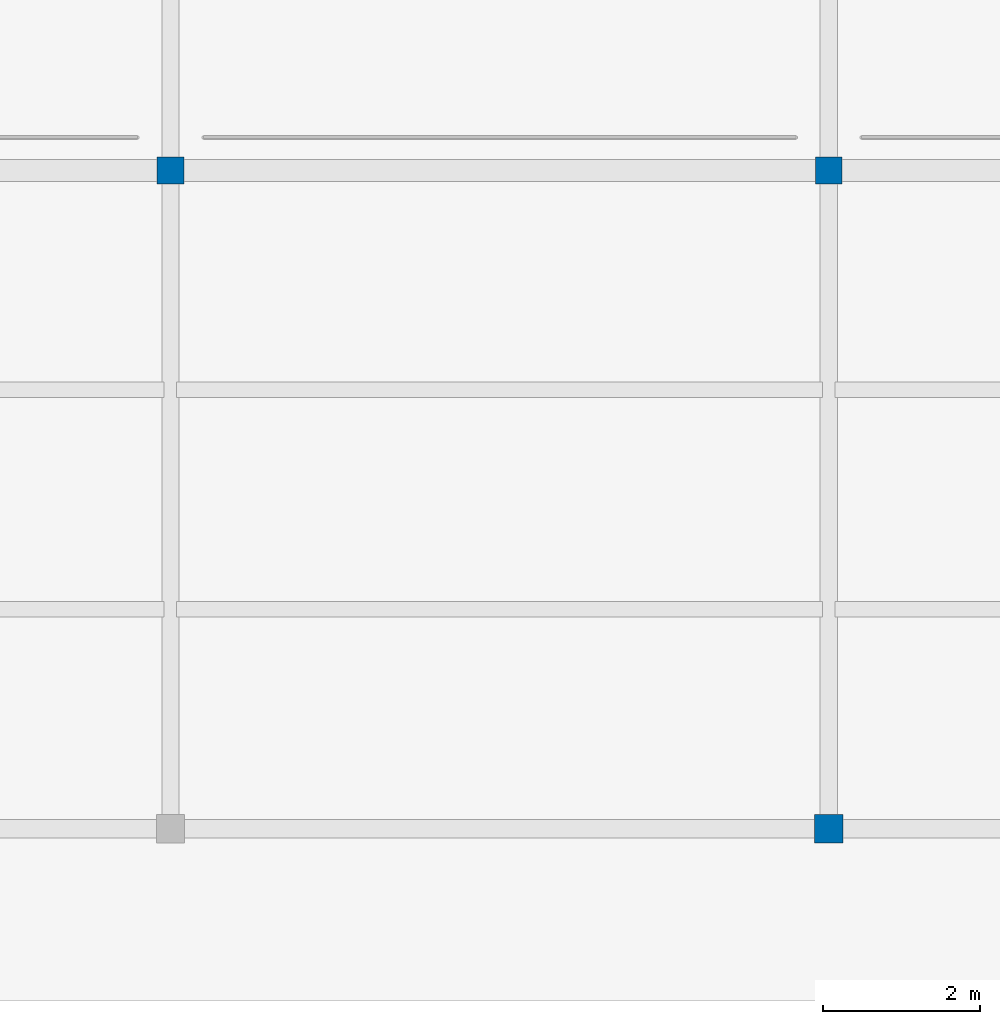
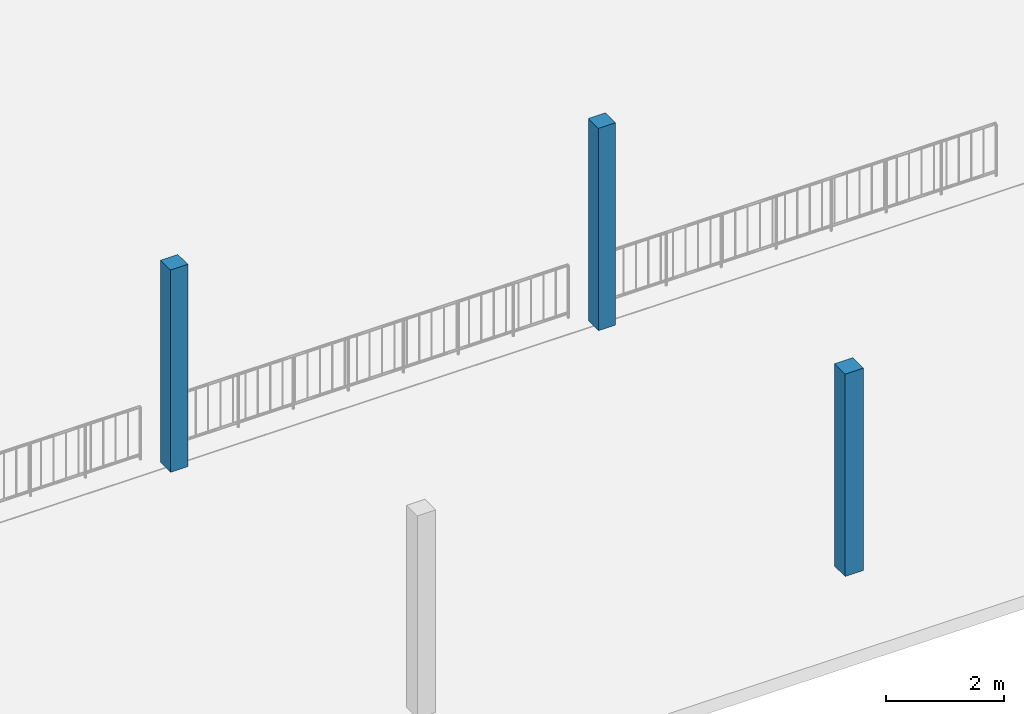
# One storey, part 2 of 166: 3 columns.
"""IFC4 building model written with IfcOpenShell, lengths in metres."""

from ifc_helpers import new_model, si_unit, direction, frame, origin, origin_2d, place, context, subcontext, project, spatial, rectangle, extrude, material, material_profile, profile_set, type_object, element, save


model = new_model("IFC4")

# Units and contexts
model_context = context("Model", 3, precision=1e-05, world=origin(), true_north=direction((0.0, 1.0)))
body_context = subcontext(model_context, "Body", "Model", "MODEL_VIEW")
ifc_project = project(units=[si_unit("LENGTHUNIT", "METRE"), si_unit("AREAUNIT", "SQUARE_METRE"), si_unit("VOLUMEUNIT", "CUBIC_METRE"), si_unit("PLANEANGLEUNIT", "RADIAN"), si_unit("MASSUNIT", "GRAM", prefix="KILO")], contexts=[model_context])

# Site, building, storey
site_placement = place(None, origin())
site = spatial("IfcSite", under=ifc_project, at=site_placement, CompositionType="ELEMENT")
building_placement = place(site_placement, origin())
building = spatial("IfcBuilding", under=site, at=building_placement, Name="Varnapada Polytechnic", CompositionType="ELEMENT")
storey_placement = place(building_placement, frame((0.0, 0.0, 9.60009765625)))
storey = spatial("IfcBuildingStorey", under=building, at=storey_placement, Name="L02", CompositionType="ELEMENT", Elevation=9.60009765625)

# Columns
ifc_material = material(Name="Glulam GL32h", Category="wood")
ifc_material_profile_1 = material_profile(ifc_material, rectangle(XDim=0.360107421875, YDim=0.360107421875, at=origin_2d()), Name="GL 360x360")
ifc_profile_set_1 = profile_set([ifc_material_profile_1], Name="Glulam GL32h")
column_type_1 = type_object("IfcColumnType", Name="Column C-14 (GL 360x360)", PredefinedType="COLUMN", material=ifc_profile_set_1)
column_placement = place(storey_placement, frame((109.199951171875, 16.800048828125, 0.0), z_axis=(0.0, 0.0, 1.0), x_axis=(1.0, 0.0, 0.0)))
element("IfcColumn", 1, at=column_placement, inside=storey, type_object=column_type_1, Name="L02 column 14/3", PredefinedType="COLUMN", context=body_context, shape_type="SweptSolid", body=[
    extrude(rectangle(XDim=0.360107421875, YDim=0.360107421875, at=origin_2d()), origin(), (0.0, 0.0, 1.0), 4.199951171875),
])
ifc_material_profile_2 = material_profile(ifc_material, rectangle(XDim=0.340087890625, YDim=0.340087890625, at=origin_2d()), Name="GL 340x340")
ifc_profile_set_2 = profile_set([ifc_material_profile_2], Name="Glulam GL32h")
column_type_2 = type_object("IfcColumnType", Name="Column C-27 (GL 340x340)", PredefinedType="COLUMN", material=ifc_profile_set_2)
for number, where, z_axis, x_axis, name in (
    (2, (100.800048828125, 25.199951171875, 0.0), (0.0, 0.0, 1.0), (1.0, 0.0, 0.0), "L02 column 13/4"),
    (3, (109.199951171875, 25.199951171875, 0.0), (0.0, 0.0, 1.0), (1.0, 0.0, 0.0), "L02 column 14/4"),
):
    element("IfcColumn", number, at=place(storey_placement, frame(where, z_axis=z_axis, x_axis=x_axis)), inside=storey, type_object=column_type_2, Name=name, PredefinedType="COLUMN", context=body_context, shape_type="SweptSolid", body=[
        extrude(rectangle(XDim=0.340087890625, YDim=0.340087890625, at=origin_2d()), origin(), (0.0, 0.0, 1.0), 4.199951171875),
    ])

save(model, "model.ifc")
